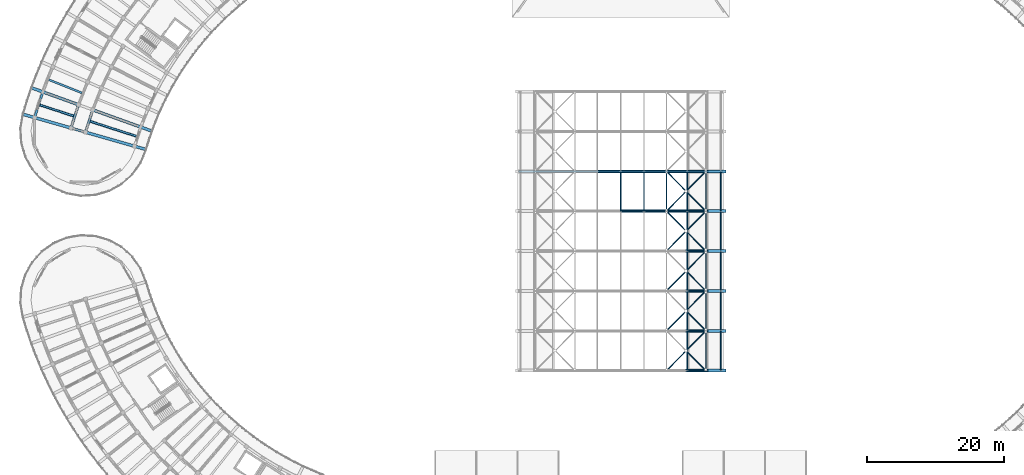
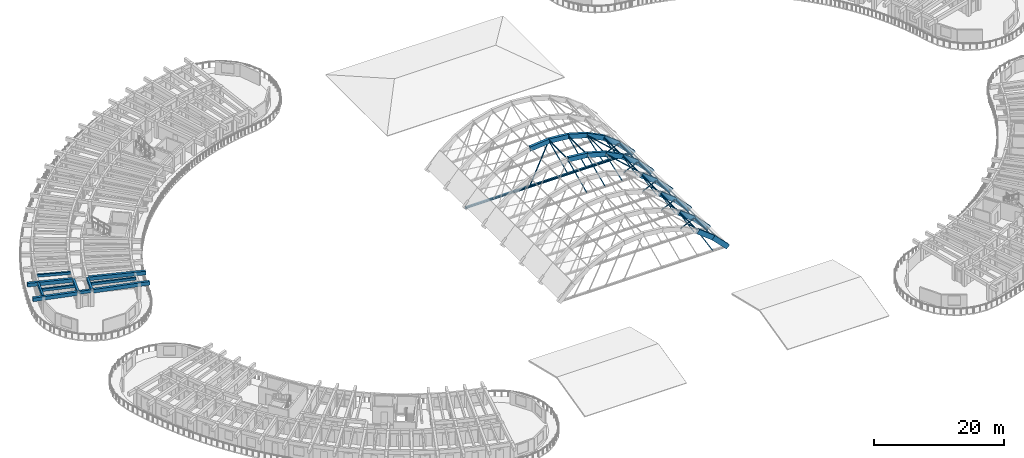
# One storey, part 9 of 81: 43 members, 31 beams.
"""IFC4 building model written with IfcOpenShell, lengths in metres."""

from ifc_helpers import new_model, si_unit, direction, frame, origin, origin_2d, place, context, subcontext, project, spatial, rectangle, hollow_rectangle, hollow_circle, i_section, extrude, material, material_profile, profile_set, type_object, element, save


model = new_model("IFC4")

# Units and contexts
model_context = context("Model", 3, precision=1e-05, world=origin(), true_north=direction((0.0, 1.0)))
body_context = subcontext(model_context, "Body", "Model", "MODEL_VIEW")
ifc_project = project(units=[si_unit("LENGTHUNIT", "METRE"), si_unit("AREAUNIT", "SQUARE_METRE"), si_unit("VOLUMEUNIT", "CUBIC_METRE"), si_unit("PLANEANGLEUNIT", "RADIAN"), si_unit("MASSUNIT", "GRAM", prefix="KILO")], contexts=[model_context])

# Site, building, storey
site_placement = place(None, origin())
site = spatial("IfcSite", under=ifc_project, at=site_placement, CompositionType="ELEMENT")
building_placement = place(site_placement, origin())
building = spatial("IfcBuilding", under=site, at=building_placement, Name="Tanwirah Colonnade Gardens", CompositionType="ELEMENT")
storey_placement = place(building_placement, frame((0.0, 0.0, 8.840087890625)))
storey = spatial("IfcBuildingStorey", under=building, at=storey_placement, Name="L02", CompositionType="ELEMENT", Elevation=8.840087890625)

# Beams
ifc_material_1 = material(Name="Precast concrete C40/50", Category="concrete")
ifc_material_profile_1 = material_profile(ifc_material_1, rectangle(XDim=0.35009765625, YDim=0.550048828125, at=origin_2d()), Name="PC-BM 350x550")
ifc_profile_set_1 = profile_set([ifc_material_profile_1], Name="Precast concrete C40/50")
beam_type_1 = type_object("IfcBeamType", Name="BM-PC350A", PredefinedType="BEAM", material=ifc_profile_set_1)
beam_1_placement = place(storey_placement, frame((15.014404296875, 74.533203125, 2.829833984375), z_axis=(-0.961266538157, 0.275620468433, 0.0), x_axis=(-0.275620468433, -0.961266538157, 0.0)))
element("IfcBeam", 1, at=beam_1_placement, inside=storey, type_object=beam_type_1, Name="Block A L02 Corridor Tie Beam 18", PredefinedType="BEAM", context=body_context, shape_type="SweptSolid", body=[
    extrude(rectangle(XDim=0.35009765625, YDim=0.550048828125, at=origin_2d()), origin(), (0.0, 0.0, 1.0), 1.89990234375),
])
ifc_material_profile_2 = material_profile(ifc_material_1, rectangle(XDim=0.35009765625, YDim=0.60009765625, at=origin_2d()), Name="PC-BM 350x600")
ifc_profile_set_2 = profile_set([ifc_material_profile_2], Name="Precast concrete C40/50")
beam_type_2 = type_object("IfcBeamType", Name="BM-PC350B", PredefinedType="BEAM", material=ifc_profile_set_2)
beam_2_placement = place(storey_placement, frame((16.162353515625, 77.601806640625, 2.804931640625), z_axis=(-0.307169780148, -0.951654730542, 0.0), x_axis=(0.951654730542, -0.307169780148, 0.0)))
element("IfcBeam", 2, at=beam_2_placement, inside=storey, type_object=beam_type_2, Name="Block A L02 Circumferential Beam 17-R1", PredefinedType="BEAM", context=body_context, shape_type="SweptSolid", body=[
    extrude(rectangle(XDim=0.35009765625, YDim=0.60009765625, at=origin_2d()), origin(), (0.0, 0.0, 1.0), 3.117919921875),
])
beam_3_placement = place(storey_placement, frame((14.09228515625, 78.34619140625, 2.804931640625), z_axis=(-0.307212636327, -0.9516408966, 0.0), x_axis=(0.9516408966, -0.307212636327, 0.0)))
element("IfcBeam", 3, at=beam_3_placement, inside=storey, type_object=beam_type_2, Name="Block A L02 Circumferential Beam 17-R2", PredefinedType="BEAM", context=body_context, shape_type="SweptSolid", body=[
    extrude(rectangle(XDim=0.35009765625, YDim=0.60009765625, at=origin_2d()), origin(), (0.0, 0.0, 1.0), 3.262939453125),
])
ifc_material_2 = material(Name="Precast concrete C45/55", Category="concrete")
ifc_material_profile_3 = material_profile(ifc_material_2, rectangle(XDim=0.419921875, YDim=0.679931640625, at=origin_2d()), Name="PC-BM 420x680")
ifc_profile_set_3 = profile_set([ifc_material_profile_3], Name="Precast concrete C45/55")
beam_type_3 = type_object("IfcBeamType", Name="BM-PC420", PredefinedType="BEAM", material=ifc_profile_set_3)
beam_4_placement = place(storey_placement, frame((16.349609375, 77.69384765625, 2.764892578125), z_axis=(0.941017049702, -0.338359146723, 0.0), x_axis=(0.338359146723, 0.941017049702, 0.0)))
element("IfcBeam", 4, at=beam_4_placement, inside=storey, type_object=beam_type_3, Name="Block A L02 Inner Radial Precast Girder 17", PredefinedType="BEAM", context=body_context, shape_type="SweptSolid", body=[
    extrude(rectangle(XDim=0.419921875, YDim=0.679931640625, at=origin_2d()), origin(), (0.0, 0.0, 1.0), 8.949951171875),
])
beam_5_placement = place(storey_placement, frame((13.9970703125, 78.539794921875, 2.764892578125), z_axis=(-0.941011841171, 0.338373631917, 0.0), x_axis=(-0.338373631917, -0.941011841171, 0.0)))
element("IfcBeam", 5, at=beam_5_placement, inside=storey, type_object=beam_type_3, Name="Block A L02 Outer Radial Precast Girder 17", PredefinedType="BEAM", context=body_context, shape_type="SweptSolid", body=[
    extrude(rectangle(XDim=0.419921875, YDim=0.679931640625, at=origin_2d()), origin(), (0.0, 0.0, 1.0), 7.0498046875),
])
beam_6_placement = place(storey_placement, frame((15.302734375, 74.450439453125, 2.764892578125), z_axis=(0.961258954076, -0.275646917646, 0.0), x_axis=(0.275646917646, 0.961258954076, 0.0)))
element("IfcBeam", 6, at=beam_6_placement, inside=storey, type_object=beam_type_3, Name="Block A L02 Inner Radial Precast Girder 18", PredefinedType="BEAM", context=body_context, shape_type="SweptSolid", body=[
    extrude(rectangle(XDim=0.419921875, YDim=0.679931640625, at=origin_2d()), origin(), (0.0, 0.0, 1.0), 8.949951171875),
])
beam_7_placement = place(storey_placement, frame((12.899658203125, 75.1396484375, 2.764892578125), z_axis=(-0.961266085595, 0.275622046806, 0.0), x_axis=(-0.275622046806, -0.961266085595, 0.0)))
element("IfcBeam", 7, at=beam_7_placement, inside=storey, type_object=beam_type_3, Name="Block A L02 Outer Radial Precast Girder 18", PredefinedType="BEAM", context=body_context, shape_type="SweptSolid", body=[
    extrude(rectangle(XDim=0.419921875, YDim=0.679931640625, at=origin_2d()), origin(), (0.0, 0.0, 1.0), 7.0498046875),
])

# Members
ifc_material_3 = material(Name="Steel S355", Category="steel")
ifc_material_profile_4 = material_profile(ifc_material_3, hollow_circle(Radius=0.096923828125, WallThickness=0.010009765625, at=origin_2d()), Name="CHS 193.7x10")
ifc_profile_set_4 = profile_set([ifc_material_profile_4], Name="Steel S355")
member_type_1 = type_object("IfcMemberType", Name="BRC-CHS194", PredefinedType="BRACE", material=ifc_profile_set_4)
member_1_placement = place(storey_placement, frame((99.660888671875, 39.800048828125, 5.91064453125), z_axis=(0.642700500329, 0.650061128505, -0.405409171189), x_axis=(-0.711121325533, 0.70306931406, 0.0)))
element("IfcMember", 8, at=member_1_placement, inside=storey, type_object=member_type_1, Name="Vault Roof Continuous Diagonal Brace 1.3", PredefinedType="BRACE", context=body_context, shape_type="SweptSolid", body=[
    extrude(hollow_circle(Radius=0.096923828125, WallThickness=0.010009765625, at=origin_2d()), origin(), (0.0, 0.0, 1.0), 8.92236328125),
])
member_2_placement = place(storey_placement, frame((105.395263671875, 39.800048828125, 2.29345703125), z_axis=(-0.642707525194, 0.650074928572, 0.405375904935), x_axis=(-0.711124945561, -0.703065652554, 0.0)))
element("IfcMember", 9, at=member_2_placement, inside=storey, type_object=member_type_1, Name="Vault Roof Split Diagonal Brace 1.4A", PredefinedType="BRACE", context=body_context, shape_type="SweptSolid", body=[
    extrude(hollow_circle(Radius=0.096923828125, WallThickness=0.010009765625, at=origin_2d()), origin(), (0.0, 0.0, 1.0), 4.341064453125),
])
member_3_placement = place(storey_placement, frame((99.660888671875, 45.60009765625, 5.91064453125), z_axis=(0.642711932478, 0.650045328166, -0.405416382476), x_axis=(-0.711106528922, 0.703084279816, 0.0)))
element("IfcMember", 10, at=member_3_placement, inside=storey, type_object=member_type_1, Name="Vault Roof Continuous Diagonal Brace 2.3", PredefinedType="BRACE", context=body_context, shape_type="SweptSolid", body=[
    extrude(hollow_circle(Radius=0.096923828125, WallThickness=0.010009765625, at=origin_2d()), origin(), (0.0, 0.0, 1.0), 8.922119140625),
])
member_4_placement = place(storey_placement, frame((105.395263671875, 45.60009765625, 2.29345703125), z_axis=(-0.642731022874, 0.650042453831, 0.405390725663), x_axis=(-0.711094533496, -0.703096411904, 0.0)))
element("IfcMember", 11, at=member_4_placement, inside=storey, type_object=member_type_1, Name="Vault Roof Split Diagonal Brace 2.4A", PredefinedType="BRACE", context=body_context, shape_type="SweptSolid", body=[
    extrude(hollow_circle(Radius=0.096923828125, WallThickness=0.010009765625, at=origin_2d()), origin(), (0.0, 0.0, 1.0), 4.3408203125),
])
member_5_placement = place(storey_placement, frame((99.660888671875, 51.39990234375, 5.91064453125), z_axis=(0.642700500329, 0.650061128505, -0.405409171189), x_axis=(-0.711121325533, 0.70306931406, 0.0)))
element("IfcMember", 12, at=member_5_placement, inside=storey, type_object=member_type_1, Name="Vault Roof Continuous Diagonal Brace 3.3", PredefinedType="BRACE", context=body_context, shape_type="SweptSolid", body=[
    extrude(hollow_circle(Radius=0.096923828125, WallThickness=0.010009765625, at=origin_2d()), origin(), (0.0, 0.0, 1.0), 8.92236328125),
])
member_6_placement = place(storey_placement, frame((105.395263671875, 51.39990234375, 2.29345703125), z_axis=(-0.642707525194, 0.650074928572, 0.405375904935), x_axis=(-0.711124945561, -0.703065652554, 0.0)))
element("IfcMember", 13, at=member_6_placement, inside=storey, type_object=member_type_1, Name="Vault Roof Split Diagonal Brace 3.4A", PredefinedType="BRACE", context=body_context, shape_type="SweptSolid", body=[
    extrude(hollow_circle(Radius=0.096923828125, WallThickness=0.010009765625, at=origin_2d()), origin(), (0.0, 0.0, 1.0), 4.341064453125),
])
member_7_placement = place(storey_placement, frame((99.660888671875, 57.199951171875, 5.91064453125), z_axis=(0.642700500329, 0.650061128505, -0.405409171189), x_axis=(-0.711121325533, 0.70306931406, 0.0)))
element("IfcMember", 14, at=member_7_placement, inside=storey, type_object=member_type_1, Name="Vault Roof Continuous Diagonal Brace 4.3", PredefinedType="BRACE", context=body_context, shape_type="SweptSolid", body=[
    extrude(hollow_circle(Radius=0.096923828125, WallThickness=0.010009765625, at=origin_2d()), origin(), (0.0, 0.0, 1.0), 8.92236328125),
])
for number, where, z_axis, x_axis, name in (
    (15, (105.395263671875, 57.199951171875, 2.29345703125), (-0.642707525194, 0.650074928572, 0.405375904935), (-0.711124945561, -0.703065652554, 0.0), "Vault Roof Split Diagonal Brace 4.4A"),
    (16, (102.450927734375, 60.177978515625, 4.150634765625), (-0.642692872086, 0.650060107494, 0.405422901196), (-0.711124945561, -0.703065652554, 0.0), "Vault Roof Split Diagonal Brace 4.4B"),
):
    element("IfcMember", number, at=place(storey_placement, frame(where, z_axis=z_axis, x_axis=x_axis)), inside=storey, type_object=member_type_1, Name=name, PredefinedType="BRACE", context=body_context, shape_type="SweptSolid", body=[
        extrude(hollow_circle(Radius=0.096923828125, WallThickness=0.010009765625, at=origin_2d()), origin(), (0.0, 0.0, 1.0), 4.341064453125),
    ])
member_8_placement = place(storey_placement, frame((99.660888671875, 63.0, 5.91064453125), z_axis=(0.642700500329, 0.650061128505, -0.405409171189), x_axis=(-0.711121325533, 0.70306931406, 0.0)))
element("IfcMember", 17, at=member_8_placement, inside=storey, type_object=member_type_1, Name="Vault Roof Continuous Diagonal Brace 5.3", PredefinedType="BRACE", context=body_context, shape_type="SweptSolid", body=[
    extrude(hollow_circle(Radius=0.096923828125, WallThickness=0.010009765625, at=origin_2d()), origin(), (0.0, 0.0, 1.0), 8.92236328125),
])
for number, where, z_axis, x_axis, name in (
    (18, (105.395263671875, 63.0, 2.29345703125), (-0.642707525194, 0.650074928572, 0.405375904935), (-0.711124945561, -0.703065652554, 0.0), "Vault Roof Split Diagonal Brace 5.4A"),
    (19, (102.450927734375, 65.97802734375, 4.150634765625), (-0.642692872086, 0.650060107494, 0.405422901196), (-0.711124945561, -0.703065652554, 0.0), "Vault Roof Split Diagonal Brace 5.4B"),
):
    element("IfcMember", number, at=place(storey_placement, frame(where, z_axis=z_axis, x_axis=x_axis)), inside=storey, type_object=member_type_1, Name=name, PredefinedType="BRACE", context=body_context, shape_type="SweptSolid", body=[
        extrude(hollow_circle(Radius=0.096923828125, WallThickness=0.010009765625, at=origin_2d()), origin(), (0.0, 0.0, 1.0), 4.341064453125),
    ])

# Beams
ifc_material_profile_5 = material_profile(ifc_material_1, rectangle(XDim=0.280029296875, YDim=0.47998046875, at=origin_2d()), Name="PC-JST 280x480")
ifc_profile_set_5 = profile_set([ifc_material_profile_5], Name="Precast concrete C40/50")
beam_type_4 = type_object("IfcBeamType", Name="JST-PC280", PredefinedType="JOIST", material=ifc_profile_set_5)
beam_8_placement = place(storey_placement, frame((14.6572265625, 80.199951171875, 2.864990234375), z_axis=(-0.929357539836, 0.369180935517, 0.0), x_axis=(-0.369180935517, -0.929357539836, 0.0)))
element("IfcBeam", 20, at=beam_8_placement, inside=storey, type_object=beam_type_4, Name="Block A L02 Precast Floor Joist 16", PredefinedType="JOIST", context=body_context, shape_type="SweptSolid", body=[
    extrude(rectangle(XDim=0.280029296875, YDim=0.47998046875, at=origin_2d()), origin(), (0.0, 0.0, 1.0), 5.260009765625),
])
beam_9_placement = place(storey_placement, frame((13.448974609375, 76.839599609375, 2.864990234375), z_axis=(-0.951656985441, 0.307162794072, 0.0), x_axis=(-0.307162794072, -0.951656985441, 0.0)))
element("IfcBeam", 21, at=beam_9_placement, inside=storey, type_object=beam_type_4, Name="Block A L02 Precast Floor Joist 17", PredefinedType="JOIST", context=body_context, shape_type="SweptSolid", body=[
    extrude(rectangle(XDim=0.280029296875, YDim=0.47998046875, at=origin_2d()), origin(), (0.0, 0.0, 1.0), 5.26025390625),
])
beam_10_placement = place(storey_placement, frame((22.584716796875, 73.890625, 2.864990234375), z_axis=(-0.951647858625, 0.307191069489, 0.0), x_axis=(-0.307191069489, -0.951647858625, 0.0)))
element("IfcBeam", 22, at=beam_10_placement, inside=storey, type_object=beam_type_4, Name="Block A L02 Inner Precast Floor Joist 17", PredefinedType="JOIST", context=body_context, shape_type="SweptSolid", body=[
    extrude(rectangle(XDim=0.280029296875, YDim=0.47998046875, at=origin_2d()), origin(), (0.0, 0.0, 1.0), 7.159912109375),
])

# Members
ifc_material_profile_6 = material_profile(ifc_material_3, i_section(OverallWidth=0.110107421875, OverallDepth=0.219970703125, WebThickness=0.005859375, FlangeThickness=0.00927734375, at=origin_2d()), Name="IPE 220")
ifc_profile_set_6 = profile_set([ifc_material_profile_6], Name="Steel S355")
member_type_2 = type_object("IfcMemberType", Name="PRL-IPE180", PredefinedType="PURLIN", material=ifc_profile_set_6)
for number, where, z_axis, x_axis, name in (
    (23, (102.6982421875, 39.9599609375, 4.4716796875), (0.0, 1.0, 0.0), (-1.0, 0.0, 0.0), "Vault Longitudinal Steel Purlin 1.8"),
    (24, (102.6982421875, 45.760009765625, 4.4716796875), (0.0, 1.0, 0.0), (-1.0, 0.0, 0.0), "Vault Longitudinal Steel Purlin 2.8"),
    (25, (102.6982421875, 51.56005859375, 4.4716796875), (0.0, 1.0, 0.0), (-1.0, 0.0, 0.0), "Vault Longitudinal Steel Purlin 3.8"),
    (26, (102.6982421875, 57.360107421875, 4.4716796875), (0.0, 1.0, 0.0), (-1.0, 0.0, 0.0), "Vault Longitudinal Steel Purlin 4.8"),
    (27, (96.389892578125, 63.159912109375, 6.9560546875), (0.0, 1.0, 0.0), (-1.0, 0.0, 0.0), "Vault Longitudinal Steel Purlin 5.6"),
    (28, (102.6982421875, 63.159912109375, 4.4716796875), (0.0, 1.0, 0.0), (-1.0, 0.0, 0.0), "Vault Longitudinal Steel Purlin 5.8"),
):
    element("IfcMember", number, at=place(storey_placement, frame(where, z_axis=z_axis, x_axis=x_axis)), inside=storey, type_object=member_type_2, Name=name, PredefinedType="PURLIN", context=body_context, shape_type="SweptSolid", body=[
        extrude(i_section(OverallWidth=0.110107421875, OverallDepth=0.219970703125, WebThickness=0.005859375, FlangeThickness=0.00927734375, at=origin_2d()), origin(), (0.0, 0.0, 1.0), 5.47998046875),
    ])
ifc_material_profile_7 = material_profile(ifc_material_3, i_section(OverallWidth=0.10009765625, OverallDepth=0.199951171875, WebThickness=0.005615234375, FlangeThickness=0.008544921875, at=origin_2d()), Name="IPE 200")
ifc_profile_set_7 = profile_set([ifc_material_profile_7], Name="Steel S355")
member_type_3 = type_object("IfcMemberType", Name="PRL-IPE200", PredefinedType="PURLIN", material=ifc_profile_set_7)
for number, where, z_axis, x_axis, name in (
    (29, (107.550048828125, 39.9599609375, 0.06982421875), (0.0, 1.0, 0.0), (-1.0, 0.0, 0.0), "Vault Eave Steel Purlin 1.E"),
    (30, (105.395263671875, 39.9599609375, 2.393310546875), (0.0, 1.0, 0.0), (-1.0, 0.0, 0.0), "Vault Longitudinal Steel Purlin 1.9"),
    (31, (107.550048828125, 45.760009765625, 0.06982421875), (0.0, 1.0, 0.0), (-1.0, 0.0, 0.0), "Vault Eave Steel Purlin 2.E"),
    (32, (105.395263671875, 45.760009765625, 2.393310546875), (0.0, 1.0, 0.0), (-1.0, 0.0, 0.0), "Vault Longitudinal Steel Purlin 2.9"),
    (33, (107.550048828125, 51.56005859375, 0.06982421875), (0.0, 1.0, 0.0), (-1.0, 0.0, 0.0), "Vault Eave Steel Purlin 3.E"),
    (34, (105.395263671875, 51.56005859375, 2.393310546875), (0.0, 1.0, 0.0), (-1.0, 0.0, 0.0), "Vault Longitudinal Steel Purlin 3.9"),
    (35, (107.550048828125, 57.360107421875, 0.06982421875), (0.0, 1.0, 0.0), (-1.0, 0.0, 0.0), "Vault Eave Steel Purlin 4.E"),
    (36, (105.395263671875, 57.360107421875, 2.393310546875), (0.0, 1.0, 0.0), (-1.0, 0.0, 0.0), "Vault Longitudinal Steel Purlin 4.9"),
    (37, (107.550048828125, 63.159912109375, 0.06982421875), (0.0, 1.0, 0.0), (-1.0, 0.0, 0.0), "Vault Eave Steel Purlin 5.E"),
    (38, (93.0, 63.159912109375, 7.27490234375), (0.0, 1.0, 0.0), (-1.0, 0.0, 0.0), "Vault Longitudinal Steel Purlin 5.5"),
    (39, (99.660888671875, 63.159912109375, 6.010498046875), (0.0, 1.0, 0.0), (-1.0, 0.0, 0.0), "Vault Longitudinal Steel Purlin 5.7"),
    (40, (105.395263671875, 63.159912109375, 2.393310546875), (0.0, 1.0, 0.0), (-1.0, 0.0, 0.0), "Vault Longitudinal Steel Purlin 5.9"),
):
    element("IfcMember", number, at=place(storey_placement, frame(where, z_axis=z_axis, x_axis=x_axis)), inside=storey, type_object=member_type_3, Name=name, PredefinedType="PURLIN", context=body_context, shape_type="SweptSolid", body=[
        extrude(i_section(OverallWidth=0.10009765625, OverallDepth=0.199951171875, WebThickness=0.005615234375, FlangeThickness=0.008544921875, at=origin_2d()), origin(), (0.0, 0.0, 1.0), 5.47998046875),
    ])

# Beams
ifc_material_profile_8 = material_profile(ifc_material_2, rectangle(XDim=0.449951171875, YDim=0.85009765625, at=origin_2d()), Name="PC-RIB 450x850")
ifc_profile_set_8 = profile_set([ifc_material_profile_8], Name="Precast concrete C45/55")
beam_type_5 = type_object("IfcBeamType", Name="RIB-V450", PredefinedType="BEAM", material=ifc_profile_set_8)
beam_11_placement = place(storey_placement, frame((102.6982421875, 39.800048828125, 4.37158203125), z_axis=(0.792127921204, 0.0, -0.610355106843), x_axis=(0.0, 1.0, 0.0)))
element("IfcBeam", 41, at=beam_11_placement, inside=storey, type_object=beam_type_5, Name="Vault Precast Arch Rib 1 Segment 9", PredefinedType="BEAM", context=body_context, shape_type="SweptSolid", body=[
    extrude(rectangle(XDim=0.449951171875, YDim=0.85009765625, at=origin_2d()), origin(), (0.0, 0.0, 1.0), 3.40478515625),
])
beam_12_placement = place(storey_placement, frame((105.395263671875, 39.800048828125, 2.29345703125), z_axis=(0.701857552298, 0.0, -0.712317328361), x_axis=(0.0, 1.0, 0.0)))
element("IfcBeam", 42, at=beam_12_placement, inside=storey, type_object=beam_type_5, Name="Vault Precast Arch Rib 1 Segment 10", PredefinedType="BEAM", context=body_context, shape_type="SweptSolid", body=[
    extrude(rectangle(XDim=0.449951171875, YDim=0.85009765625, at=origin_2d()), origin(), (0.0, 0.0, 1.0), 3.711181640625),
])
beam_13_placement = place(storey_placement, frame((102.6982421875, 45.60009765625, 4.37158203125), z_axis=(0.792127921204, 0.0, -0.610355106843), x_axis=(0.0, 1.0, 0.0)))
element("IfcBeam", 43, at=beam_13_placement, inside=storey, type_object=beam_type_5, Name="Vault Precast Arch Rib 2 Segment 9", PredefinedType="BEAM", context=body_context, shape_type="SweptSolid", body=[
    extrude(rectangle(XDim=0.449951171875, YDim=0.85009765625, at=origin_2d()), origin(), (0.0, 0.0, 1.0), 3.40478515625),
])
beam_14_placement = place(storey_placement, frame((105.395263671875, 45.60009765625, 2.29345703125), z_axis=(0.701857552298, 0.0, -0.712317328361), x_axis=(0.0, 1.0, 0.0)))
element("IfcBeam", 44, at=beam_14_placement, inside=storey, type_object=beam_type_5, Name="Vault Precast Arch Rib 2 Segment 10", PredefinedType="BEAM", context=body_context, shape_type="SweptSolid", body=[
    extrude(rectangle(XDim=0.449951171875, YDim=0.85009765625, at=origin_2d()), origin(), (0.0, 0.0, 1.0), 3.711181640625),
])
beam_15_placement = place(storey_placement, frame((102.6982421875, 51.39990234375, 4.37158203125), z_axis=(0.792127921204, 0.0, -0.610355106843), x_axis=(0.0, 1.0, 0.0)))
element("IfcBeam", 45, at=beam_15_placement, inside=storey, type_object=beam_type_5, Name="Vault Precast Arch Rib 3 Segment 9", PredefinedType="BEAM", context=body_context, shape_type="SweptSolid", body=[
    extrude(rectangle(XDim=0.449951171875, YDim=0.85009765625, at=origin_2d()), origin(), (0.0, 0.0, 1.0), 3.40478515625),
])
beam_16_placement = place(storey_placement, frame((105.395263671875, 51.39990234375, 2.29345703125), z_axis=(0.701857552298, 0.0, -0.712317328361), x_axis=(0.0, 1.0, 0.0)))
element("IfcBeam", 46, at=beam_16_placement, inside=storey, type_object=beam_type_5, Name="Vault Precast Arch Rib 3 Segment 10", PredefinedType="BEAM", context=body_context, shape_type="SweptSolid", body=[
    extrude(rectangle(XDim=0.449951171875, YDim=0.85009765625, at=origin_2d()), origin(), (0.0, 0.0, 1.0), 3.711181640625),
])
beam_17_placement = place(storey_placement, frame((102.6982421875, 57.199951171875, 4.37158203125), z_axis=(0.792127921204, 0.0, -0.610355106843), x_axis=(0.0, 1.0, 0.0)))
element("IfcBeam", 47, at=beam_17_placement, inside=storey, type_object=beam_type_5, Name="Vault Precast Arch Rib 4 Segment 9", PredefinedType="BEAM", context=body_context, shape_type="SweptSolid", body=[
    extrude(rectangle(XDim=0.449951171875, YDim=0.85009765625, at=origin_2d()), origin(), (0.0, 0.0, 1.0), 3.40478515625),
])
beam_18_placement = place(storey_placement, frame((105.395263671875, 57.199951171875, 2.29345703125), z_axis=(0.701857552298, 0.0, -0.712317328361), x_axis=(0.0, 1.0, 0.0)))
element("IfcBeam", 48, at=beam_18_placement, inside=storey, type_object=beam_type_5, Name="Vault Precast Arch Rib 4 Segment 10", PredefinedType="BEAM", context=body_context, shape_type="SweptSolid", body=[
    extrude(rectangle(XDim=0.449951171875, YDim=0.85009765625, at=origin_2d()), origin(), (0.0, 0.0, 1.0), 3.711181640625),
])
for number, where, z_axis, x_axis, name in (
    (49, (93.0, 63.0, 7.1748046875), (0.99560565079, 0.0, -0.093645011158), (0.0, 1.0, 0.0), "Vault Precast Arch Rib 5 Segment 6"),
    (50, (96.389892578125, 63.0, 6.85595703125), (0.960686137021, 0.0, -0.277636716118), (0.0, 1.0, 0.0), "Vault Precast Arch Rib 5 Segment 7"),
):
    element("IfcBeam", number, at=place(storey_placement, frame(where, z_axis=z_axis, x_axis=x_axis)), inside=storey, type_object=beam_type_5, Name=name, PredefinedType="BEAM", context=body_context, shape_type="SweptSolid", body=[
        extrude(rectangle(XDim=0.449951171875, YDim=0.85009765625, at=origin_2d()), origin(), (0.0, 0.0, 1.0), 3.40478515625),
    ])
beam_19_placement = place(storey_placement, frame((99.660888671875, 63.0, 5.91064453125), z_axis=(0.892019587428, 0.0, -0.451996742958), x_axis=(0.0, 1.0, 0.0)))
element("IfcBeam", 51, at=beam_19_placement, inside=storey, type_object=beam_type_5, Name="Vault Precast Arch Rib 5 Segment 8", PredefinedType="BEAM", context=body_context, shape_type="SweptSolid", body=[
    extrude(rectangle(XDim=0.449951171875, YDim=0.85009765625, at=origin_2d()), origin(), (0.0, 0.0, 1.0), 3.405029296875),
])
beam_20_placement = place(storey_placement, frame((102.6982421875, 63.0, 4.37158203125), z_axis=(0.792127921204, 0.0, -0.610355106843), x_axis=(0.0, 1.0, 0.0)))
element("IfcBeam", 52, at=beam_20_placement, inside=storey, type_object=beam_type_5, Name="Vault Precast Arch Rib 5 Segment 9", PredefinedType="BEAM", context=body_context, shape_type="SweptSolid", body=[
    extrude(rectangle(XDim=0.449951171875, YDim=0.85009765625, at=origin_2d()), origin(), (0.0, 0.0, 1.0), 3.40478515625),
])
beam_21_placement = place(storey_placement, frame((105.395263671875, 63.0, 2.29345703125), z_axis=(0.701857552298, 0.0, -0.712317328361), x_axis=(0.0, 1.0, 0.0)))
element("IfcBeam", 53, at=beam_21_placement, inside=storey, type_object=beam_type_5, Name="Vault Precast Arch Rib 5 Segment 10", PredefinedType="BEAM", context=body_context, shape_type="SweptSolid", body=[
    extrude(rectangle(XDim=0.449951171875, YDim=0.85009765625, at=origin_2d()), origin(), (0.0, 0.0, 1.0), 3.711181640625),
])
for number, where, z_axis, x_axis, name in (
    (54, (89.610107421875, 68.800048828125, 6.85595703125), (0.99560565079, 0.0, 0.093645011158), (0.0, 1.0, 0.0), "Vault Precast Arch Rib 6 Segment 5"),
    (55, (93.0, 68.800048828125, 7.1748046875), (0.99560565079, 0.0, -0.093645011158), (0.0, 1.0, 0.0), "Vault Precast Arch Rib 6 Segment 6"),
    (56, (96.389892578125, 68.800048828125, 6.85595703125), (0.960686137021, 0.0, -0.277636716118), (0.0, 1.0, 0.0), "Vault Precast Arch Rib 6 Segment 7"),
):
    element("IfcBeam", number, at=place(storey_placement, frame(where, z_axis=z_axis, x_axis=x_axis)), inside=storey, type_object=beam_type_5, Name=name, PredefinedType="BEAM", context=body_context, shape_type="SweptSolid", body=[
        extrude(rectangle(XDim=0.449951171875, YDim=0.85009765625, at=origin_2d()), origin(), (0.0, 0.0, 1.0), 3.40478515625),
    ])
beam_22_placement = place(storey_placement, frame((99.660888671875, 68.800048828125, 5.91064453125), z_axis=(0.892019587428, 0.0, -0.451996742958), x_axis=(0.0, 1.0, 0.0)))
element("IfcBeam", 57, at=beam_22_placement, inside=storey, type_object=beam_type_5, Name="Vault Precast Arch Rib 6 Segment 8", PredefinedType="BEAM", context=body_context, shape_type="SweptSolid", body=[
    extrude(rectangle(XDim=0.449951171875, YDim=0.85009765625, at=origin_2d()), origin(), (0.0, 0.0, 1.0), 3.405029296875),
])
beam_23_placement = place(storey_placement, frame((102.6982421875, 68.800048828125, 4.37158203125), z_axis=(0.792127921204, 0.0, -0.610355106843), x_axis=(0.0, 1.0, 0.0)))
element("IfcBeam", 58, at=beam_23_placement, inside=storey, type_object=beam_type_5, Name="Vault Precast Arch Rib 6 Segment 9", PredefinedType="BEAM", context=body_context, shape_type="SweptSolid", body=[
    extrude(rectangle(XDim=0.449951171875, YDim=0.85009765625, at=origin_2d()), origin(), (0.0, 0.0, 1.0), 3.40478515625),
])
beam_24_placement = place(storey_placement, frame((105.395263671875, 68.800048828125, 2.29345703125), z_axis=(0.701857552298, 0.0, -0.712317328361), x_axis=(0.0, 1.0, 0.0)))
element("IfcBeam", 59, at=beam_24_placement, inside=storey, type_object=beam_type_5, Name="Vault Precast Arch Rib 6 Segment 10", PredefinedType="BEAM", context=body_context, shape_type="SweptSolid", body=[
    extrude(rectangle(XDim=0.449951171875, YDim=0.85009765625, at=origin_2d()), origin(), (0.0, 0.0, 1.0), 3.711181640625),
])
ifc_material_profile_9 = material_profile(ifc_material_2, rectangle(XDim=0.320068359375, YDim=0.679931640625, at=origin_2d()), Name="PC-SP 320x680")
ifc_profile_set_9 = profile_set([ifc_material_profile_9], Name="Precast concrete C45/55")
beam_type_6 = type_object("IfcBeamType", Name="SP-PC320", PredefinedType="SPANDREL", material=ifc_profile_set_9)
beam_25_placement = place(storey_placement, frame((8.916748046875, 80.207275390625, 2.764892578125), z_axis=(-0.307183773768, -0.951650213647, 0.0), x_axis=(0.951650213647, -0.307183773768, 0.0)))
element("IfcBeam", 60, at=beam_25_placement, inside=storey, type_object=beam_type_6, Name="Block A L02 Circumferential Beam 17-R3", PredefinedType="SPANDREL", context=body_context, shape_type="SweptSolid", body=[
    extrude(rectangle(XDim=0.320068359375, YDim=0.679931640625, at=origin_2d()), origin(), (0.0, 0.0, 1.0), 3.625732421875),
])
ifc_material_profile_10 = material_profile(ifc_material_3, i_section(OverallWidth=0.300048828125, OverallDepth=0.360107421875, WebThickness=0.012451171875, FlangeThickness=0.0224609375, at=origin_2d()), Name="HEB 360")
ifc_profile_set_10 = profile_set([ifc_material_profile_10], Name="Steel S355")
beam_type_7 = type_object("IfcBeamType", Name="STIE-HEB360", PredefinedType="BEAM", material=ifc_profile_set_10)
beam_26_placement = place(storey_placement, frame((78.14990234375, 68.800048828125, -0.239990234375), z_axis=(1.0, 0.0, 0.0), x_axis=(0.0, 1.0, 0.0)))
element("IfcBeam", 61, at=beam_26_placement, inside=storey, type_object=beam_type_7, Name="Vault Springing Steel Tension Tie 6", PredefinedType="BEAM", context=body_context, shape_type="SweptSolid", body=[
    extrude(i_section(OverallWidth=0.300048828125, OverallDepth=0.360107421875, WebThickness=0.012451171875, FlangeThickness=0.0224609375, at=origin_2d()), origin(), (0.0, 0.0, 1.0), 29.7001953125),
])

# Members
ifc_material_profile_11 = material_profile(ifc_material_3, hollow_rectangle(XDim=0.14990234375, YDim=0.14990234375, WallThickness=0.010009765625, at=origin_2d()), Name="SHS 150x150x10")
ifc_profile_set_11 = profile_set([ifc_material_profile_11], Name="Steel S355")
member_type_4 = type_object("IfcMemberType", Name="STR-SHS150", PredefinedType="STRUT", material=ifc_profile_set_11)
for number, where, z_axis, x_axis, name in (
    (62, (105.395263671875, 39.800048828125, -0.239990234375), (-0.504839627362, 0.0, 0.863213154815), (0.0, -1.0, 0.0), "Vault Tied-Arch Diagonal Web 1.9"),
    (63, (105.395263671875, 45.60009765625, -0.239990234375), (-0.504839627362, 0.0, 0.863213154815), (0.0, -1.0, 0.0), "Vault Tied-Arch Diagonal Web 2.9"),
    (64, (105.395263671875, 51.39990234375, -0.239990234375), (-0.504839627362, 0.0, 0.863213154815), (0.0, -1.0, 0.0), "Vault Tied-Arch Diagonal Web 3.9"),
    (65, (105.395263671875, 57.199951171875, -0.239990234375), (-0.504839627362, 0.0, 0.863213154815), (0.0, -1.0, 0.0), "Vault Tied-Arch Diagonal Web 4.9"),
):
    element("IfcMember", number, at=place(storey_placement, frame(where, z_axis=z_axis, x_axis=x_axis)), inside=storey, type_object=member_type_4, Name=name, PredefinedType="STRUT", context=body_context, shape_type="SweptSolid", body=[
        extrude(hollow_rectangle(XDim=0.14990234375, YDim=0.14990234375, WallThickness=0.010009765625, at=origin_2d()), origin(), (0.0, 0.0, 1.0), 5.34228515625),
    ])
member_9_placement = place(storey_placement, frame((96.389892578125, 63.0, -0.239990234375), z_axis=(-0.415787359689, 0.0, 0.909461858201), x_axis=(0.0, -1.0, 0.0)))
element("IfcMember", 66, at=member_9_placement, inside=storey, type_object=member_type_4, Name="Vault Tied-Arch Diagonal Web 5.6", PredefinedType="STRUT", context=body_context, shape_type="SweptSolid", body=[
    extrude(hollow_rectangle(XDim=0.14990234375, YDim=0.14990234375, WallThickness=0.010009765625, at=origin_2d()), origin(), (0.0, 0.0, 1.0), 8.15283203125),
])
member_10_placement = place(storey_placement, frame((99.660888671875, 63.0, -0.239990234375), z_axis=(-0.418630140767, 0.0, 0.908156817539), x_axis=(0.0, -1.0, 0.0)))
element("IfcMember", 67, at=member_10_placement, inside=storey, type_object=member_type_4, Name="Vault Tied-Arch Diagonal Web 5.7", PredefinedType="STRUT", context=body_context, shape_type="SweptSolid", body=[
    extrude(hollow_rectangle(XDim=0.14990234375, YDim=0.14990234375, WallThickness=0.010009765625, at=origin_2d()), origin(), (0.0, 0.0, 1.0), 7.8134765625),
])
member_11_placement = place(storey_placement, frame((102.6982421875, 63.0, -0.239990234375), z_axis=(-0.442780665699, 0.0, 0.896629958279), x_axis=(0.0, -1.0, 0.0)))
element("IfcMember", 68, at=member_11_placement, inside=storey, type_object=member_type_4, Name="Vault Tied-Arch Diagonal Web 5.8", PredefinedType="STRUT", context=body_context, shape_type="SweptSolid", body=[
    extrude(hollow_rectangle(XDim=0.14990234375, YDim=0.14990234375, WallThickness=0.010009765625, at=origin_2d()), origin(), (0.0, 0.0, 1.0), 6.859619140625),
])
member_12_placement = place(storey_placement, frame((105.395263671875, 63.0, -0.239990234375), z_axis=(-0.504839627362, 0.0, 0.863213154815), x_axis=(0.0, -1.0, 0.0)))
element("IfcMember", 69, at=member_12_placement, inside=storey, type_object=member_type_4, Name="Vault Tied-Arch Diagonal Web 5.9", PredefinedType="STRUT", context=body_context, shape_type="SweptSolid", body=[
    extrude(hollow_rectangle(XDim=0.14990234375, YDim=0.14990234375, WallThickness=0.010009765625, at=origin_2d()), origin(), (0.0, 0.0, 1.0), 5.34228515625),
])
for number, where, z_axis, x_axis, name in (
    (70, (89.610107421875, 68.800048828125, -0.239990234375), (0.415787359689, 0.0, 0.909461858201), (0.0, 1.0, 0.0), "Vault Tied-Arch Diagonal Web 6.5"),
    (71, (96.389892578125, 68.800048828125, -0.239990234375), (-0.415787359689, 0.0, 0.909461858201), (0.0, -1.0, 0.0), "Vault Tied-Arch Diagonal Web 6.6"),
):
    element("IfcMember", number, at=place(storey_placement, frame(where, z_axis=z_axis, x_axis=x_axis)), inside=storey, type_object=member_type_4, Name=name, PredefinedType="STRUT", context=body_context, shape_type="SweptSolid", body=[
        extrude(hollow_rectangle(XDim=0.14990234375, YDim=0.14990234375, WallThickness=0.010009765625, at=origin_2d()), origin(), (0.0, 0.0, 1.0), 8.15283203125),
    ])
member_13_placement = place(storey_placement, frame((99.660888671875, 68.800048828125, -0.239990234375), z_axis=(-0.418630140767, 0.0, 0.908156817539), x_axis=(0.0, -1.0, 0.0)))
element("IfcMember", 72, at=member_13_placement, inside=storey, type_object=member_type_4, Name="Vault Tied-Arch Diagonal Web 6.7", PredefinedType="STRUT", context=body_context, shape_type="SweptSolid", body=[
    extrude(hollow_rectangle(XDim=0.14990234375, YDim=0.14990234375, WallThickness=0.010009765625, at=origin_2d()), origin(), (0.0, 0.0, 1.0), 7.8134765625),
])
member_14_placement = place(storey_placement, frame((102.6982421875, 68.800048828125, -0.239990234375), z_axis=(-0.442780665699, 0.0, 0.896629958279), x_axis=(0.0, -1.0, 0.0)))
element("IfcMember", 73, at=member_14_placement, inside=storey, type_object=member_type_4, Name="Vault Tied-Arch Diagonal Web 6.8", PredefinedType="STRUT", context=body_context, shape_type="SweptSolid", body=[
    extrude(hollow_rectangle(XDim=0.14990234375, YDim=0.14990234375, WallThickness=0.010009765625, at=origin_2d()), origin(), (0.0, 0.0, 1.0), 6.859619140625),
])
member_15_placement = place(storey_placement, frame((105.395263671875, 68.800048828125, -0.239990234375), z_axis=(-0.504839627362, 0.0, 0.863213154815), x_axis=(0.0, -1.0, 0.0)))
element("IfcMember", 74, at=member_15_placement, inside=storey, type_object=member_type_4, Name="Vault Tied-Arch Diagonal Web 6.9", PredefinedType="STRUT", context=body_context, shape_type="SweptSolid", body=[
    extrude(hollow_rectangle(XDim=0.14990234375, YDim=0.14990234375, WallThickness=0.010009765625, at=origin_2d()), origin(), (0.0, 0.0, 1.0), 5.34228515625),
])

save(model, "model.ifc")
